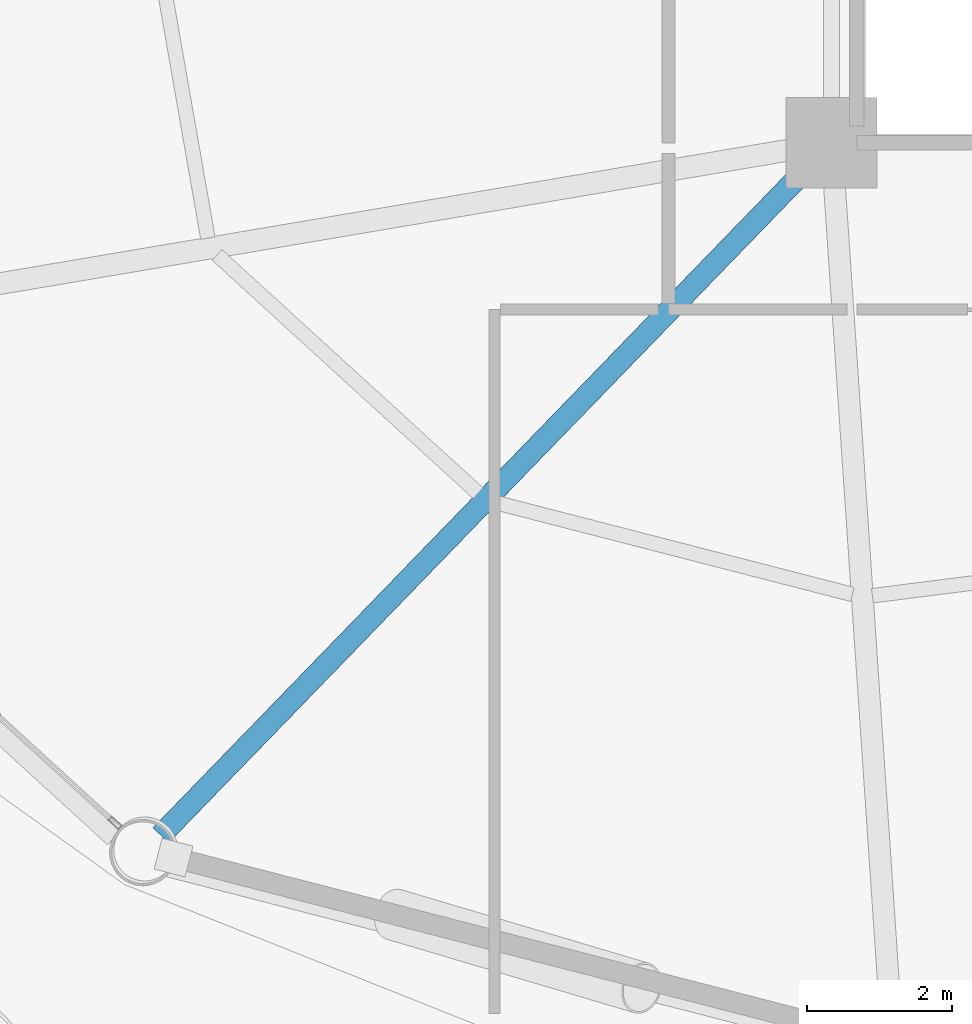
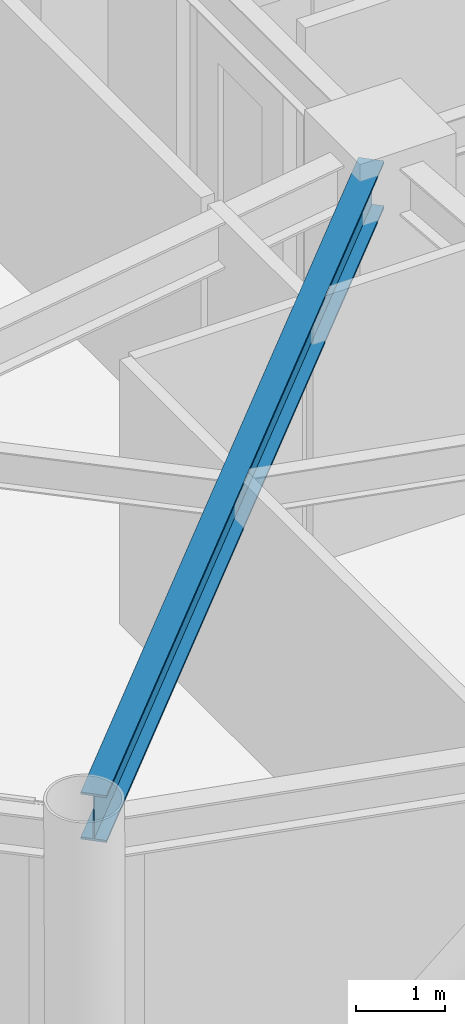
# One storey, part 4 of 24: 1 beam.
"""IFC4 building model written with IfcOpenShell, lengths in metres."""

import ifcopenshell
import ifcopenshell.guid

model = None  # the IFC model being written
_history = None  # IfcOwnerHistory: only IFC2X3 demands one
_inside = {}  # id of a spatial element -> (the spatial element, [elements in it])
_under = {}  # id of a project, library or spatial element -> (it, [spatial elements below it])
_declared = {}  # id of a project -> (the project, [libraries it declares])
_typed = {}  # id of a type object -> (the type object, [elements of that type])
_made_of = {}  # id of a material, layer set ... -> (it, [elements and type objects made of it])


def new_model(schema):
    """Start an empty IFC model of exactly this schema.

    Asked for "IFC4X3", IfcOpenShell would pick the latest addendum, in which some entities
    have other attributes; the version numbers below select the first issue.
    IFC2X3 requires an IfcOwnerHistory on every rooted entity: one is made here for all.
    """
    global model, _history
    if schema == "IFC4X3":
        model = ifcopenshell.file(schema_version=(4, 3, 0, 0))
    else:
        model = ifcopenshell.file(schema=schema)
    _inside.clear()
    _under.clear()
    _declared.clear()
    _typed.clear()
    _made_of.clear()
    _history = None
    if model.schema == "IFC2X3":
        org = make("IfcOrganization", Name="unknown")
        user = make(
            "IfcPersonAndOrganization",
            ThePerson=make("IfcPerson", FamilyName="unknown"),
            TheOrganization=org,
        )
        app = make(
            "IfcApplication",
            ApplicationDeveloper=org,
            Version="unknown",
            ApplicationFullName="unknown",
            ApplicationIdentifier="unknown",
        )
        _history = make(
            "IfcOwnerHistory",
            OwningUser=user,
            OwningApplication=app,
            ChangeAction="ADDED",
            CreationDate=0,
        )
    return model


def make(cls, **values):
    """One entity of the class cls with the attributes given. An attribute that is None is left unset."""
    return model.create_entity(
        cls, **{name: value for name, value in values.items() if value is not None}
    )


def rooted(cls, **values):
    """An entity with a GlobalId (a new one), such as an element, a storey or a relation."""
    return make(cls, GlobalId=ifcopenshell.guid.new(), OwnerHistory=_history, **values)


def si_unit(unit_type, name, prefix=None):
    """IfcSIUnit, for example si_unit("LENGTHUNIT", "METRE", prefix="MILLI")."""
    return make("IfcSIUnit", UnitType=unit_type, Prefix=prefix, Name=name)


def assignment(units):
    """IfcUnitAssignment: the units of a project."""
    return None if units is None else make("IfcUnitAssignment", Units=units)


def point(xyz):
    """IfcCartesianPoint."""
    return None if xyz is None else make("IfcCartesianPoint", Coordinates=xyz)


def direction(xyz):
    """IfcDirection."""
    return None if xyz is None else make("IfcDirection", DirectionRatios=xyz)


def frame(location, z_axis=None, x_axis=None):
    """IfcAxis2Placement3D, a coordinate frame: its origin and axes. An axis left out is left unset."""
    return make(
        "IfcAxis2Placement3D",
        Location=point(location),
        Axis=direction(z_axis),
        RefDirection=direction(x_axis),
    )


def frame_2d(location, x_axis=None):
    """IfcAxis2Placement2D, a coordinate frame in the plane: its origin and x axis."""
    return make(
        "IfcAxis2Placement2D", Location=point(location), RefDirection=direction(x_axis)
    )


def origin():
    """The frame at (0, 0, 0) with its axes left unset."""
    return frame((0.0, 0.0, 0.0))


def origin_2d():
    """The frame at (0, 0) in the plane with its x axis left unset."""
    return frame_2d((0.0, 0.0))


def place(relative_to, where):
    """IfcLocalPlacement: puts the frame where relative to a parent placement (None: the world)."""
    return make(
        "IfcLocalPlacement", PlacementRelTo=relative_to, RelativePlacement=where
    )


def context(
    kind, dimensions, precision=None, world=None, true_north=None, identifier=None
):
    """IfcGeometricRepresentationContext, for example the 3D "Model" context."""
    return make(
        "IfcGeometricRepresentationContext",
        ContextIdentifier=identifier,
        ContextType=kind,
        CoordinateSpaceDimension=dimensions,
        Precision=precision,
        WorldCoordinateSystem=world,
        TrueNorth=true_north,
    )


def subcontext(parent, identifier, kind, view, scale=None):
    """IfcGeometricRepresentationSubContext, for example "Body" below "Model"."""
    return make(
        "IfcGeometricRepresentationSubContext",
        ContextIdentifier=identifier,
        ContextType=kind,
        ParentContext=parent,
        TargetScale=scale,
        TargetView=view,
    )


def project(units=None, contexts=None):
    """IfcProject with its units and contexts."""
    return rooted(
        "IfcProject",
        Name="project",
        RepresentationContexts=contexts,
        UnitsInContext=assignment(units),
    )


def spatial(cls, under=None, at=None, **own):
    """A site, building, storey or space (cls), placed at a placement, below another one or the project."""
    s = rooted(cls, ObjectPlacement=at, **own)
    if under is not None:
        _under.setdefault(under.id(), (under, []))[1].append(s)
    return s


def profile(cls, at=None, kind="AREA", **sizes):
    """A parametric profile (cls). Its sizes go by their IFC names, for example OverallWidth=200.0."""
    return make(cls, ProfileType=kind, Position=at, **sizes)


def i_section(**sizes):
    """IfcIShapeProfileDef."""
    return profile("IfcIShapeProfileDef", **sizes)


def extrude(swept, where, along, depth):
    """IfcExtrudedAreaSolid: the profile swept, set in the frame where, extruded along a direction by depth."""
    return make(
        "IfcExtrudedAreaSolid",
        SweptArea=swept,
        Position=where,
        ExtrudedDirection=direction(along),
        Depth=depth,
    )


def shape(context_of_items, identifier, shape_type, items):
    """IfcShapeRepresentation: the items that make up one representation, for example the "Body"."""
    return make(
        "IfcShapeRepresentation",
        ContextOfItems=context_of_items,
        RepresentationIdentifier=identifier,
        RepresentationType=shape_type,
        Items=items,
    )


def material(Name=None, Category=None):
    """IfcMaterial."""
    return make("IfcMaterial", Name=Name, Category=Category)


def material_profile(
    of_material, cross_section, Name=None, Category=None, Priority=None
):
    """IfcMaterialProfile: a cross section and its material."""
    return make(
        "IfcMaterialProfile",
        Name=Name,
        Material=of_material,
        Profile=cross_section,
        Priority=Priority,
        Category=Category,
    )


def profile_set(profiles, Name=None, composite=None):
    """IfcMaterialProfileSet."""
    return make(
        "IfcMaterialProfileSet",
        Name=Name,
        MaterialProfiles=profiles,
        CompositeProfile=composite,
    )


def made_of(thing, what):
    """Note that an element or type object is made of a material, layer set ...; save() writes the relation."""
    if what is not None:
        _made_of.setdefault(what.id(), (what, []))[1].append(thing)
    return thing


def type_object(cls, material=None, **own):
    """A type object (cls), such as IfcWallType, which elements share."""
    return made_of(rooted(cls, **own), material)


def element(
    cls,
    number,
    at=None,
    inside=None,
    cuts=None,
    type_object=None,
    material=None,
    context=None,
    identifier="Body",
    shape_type=None,
    held_by="IfcProductDefinitionShape",
    body=None,
    shapes=None,
    **own,
):
    """One element of the class cls, such as IfcWall. Its Tag is "e" and its number.

    at: its placement. inside: the storey or other place that contains it. cuts: it is an
    opening in that element (IfcRelVoidsElement). A single representation is given by context,
    identifier, shape_type and body (its items); several are given by shapes. held_by: the class
    of the entity that holds the representations. save() writes the other relations.
    """
    e = rooted(cls, Tag="e%d" % number, ObjectPlacement=at, **own)
    if body is not None:
        shapes = [shape(context, identifier, shape_type, body)]
    if shapes is not None:
        e.Representation = make(held_by, Representations=shapes)
    if inside is not None:
        _inside.setdefault(inside.id(), (inside, []))[1].append(e)
    if cuts is not None:
        rooted(
            "IfcRelVoidsElement", RelatingBuildingElement=cuts, RelatedOpeningElement=e
        )
    if type_object is not None:
        _typed.setdefault(type_object.id(), (type_object, []))[1].append(e)
    return made_of(e, material)


def aggregate(whole, parts):
    """IfcRelAggregates: a whole, such as a stair, and the parts it consists of."""
    return rooted("IfcRelAggregates", RelatingObject=whole, RelatedObjects=parts)


def save(model, path):
    """Write the relations noted so far, then the file.

    IfcRelAggregates (storeys below a building ...), IfcRelContainedInSpatialStructure (elements
    in a storey), IfcRelDefinesByType, IfcRelAssociatesMaterial and IfcRelDeclares: one each for
    every whole, place, type object, material and project.
    """
    for whole, parts in _under.values():
        aggregate(whole, parts)
    for where, things in _inside.values():
        rooted(
            "IfcRelContainedInSpatialStructure",
            RelatedElements=things,
            RelatingStructure=where,
        )
    for kind, things in _typed.values():
        rooted("IfcRelDefinesByType", RelatedObjects=things, RelatingType=kind)
    for what, things in _made_of.values():
        rooted("IfcRelAssociatesMaterial", RelatedObjects=things, RelatingMaterial=what)
    for by, libraries in _declared.values():
        rooted("IfcRelDeclares", RelatingContext=by, RelatedDefinitions=libraries)
    model.write(path)


model = new_model("IFC4")

# Units and contexts
model_context = context("Model", 3, precision=1e-05, world=origin(), true_north=direction((0.0, 1.0)))
body_context = subcontext(model_context, "Body", "Model", "MODEL_VIEW")
ifc_project = project(units=[si_unit("LENGTHUNIT", "METRE"), si_unit("AREAUNIT", "SQUARE_METRE"), si_unit("VOLUMEUNIT", "CUBIC_METRE"), si_unit("PLANEANGLEUNIT", "RADIAN"), si_unit("MASSUNIT", "GRAM", prefix="KILO")], contexts=[model_context])

# Site, building, storey
site_placement = place(None, origin())
site = spatial("IfcSite", under=ifc_project, at=site_placement, CompositionType="ELEMENT")
building_placement = place(site_placement, origin())
building = spatial("IfcBuilding", under=site, at=building_placement, Name="Varnakorn Sky Granary", CompositionType="ELEMENT")
storey_placement = place(building_placement, frame((0.0, 0.0, 43.199951171875)))
storey = spatial("IfcBuildingStorey", under=building, at=storey_placement, Name="L10", CompositionType="ELEMENT", Elevation=43.199951171875)

# Beam
ifc_material = material(Name="Steel S355JR", Category="steel")
ifc_material_profile = material_profile(ifc_material, i_section(OverallWidth=0.300048828125, OverallDepth=0.64990234375, WebThickness=0.01611328125, FlangeThickness=0.031005859375, at=origin_2d()), Name="HE 650 B")
ifc_profile_set = profile_set([ifc_material_profile], Name="Steel S355JR")
beam_type = type_object("IfcBeamType", Name="BM-RAD-Z1", PredefinedType="BEAM", material=ifc_profile_set)
beam_placement = place(storey_placement, frame((-2.64208984375, -6.901611328125, 3.31494140625), z_axis=(-0.695744165435, -0.718289674339, 0.0), x_axis=(0.718289674339, -0.695744165435, 0.0)))
element("IfcBeam", 1, at=beam_placement, inside=storey, type_object=beam_type, Name="Radial Floor Girder RG09 L10", PredefinedType="BEAM", context=body_context, shape_type="SweptSolid", body=[
    extrude(i_section(OverallWidth=0.300048828125, OverallDepth=0.64990234375, WebThickness=0.01611328125, FlangeThickness=0.031005859375, at=origin_2d()), origin(), (0.0, 0.0, 1.0), 12.87548828125),
])

save(model, "model.ifc")
